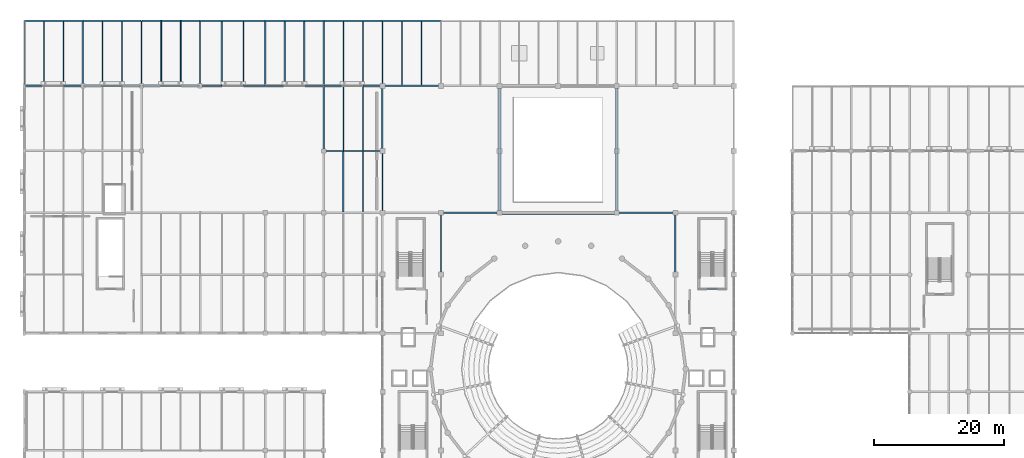
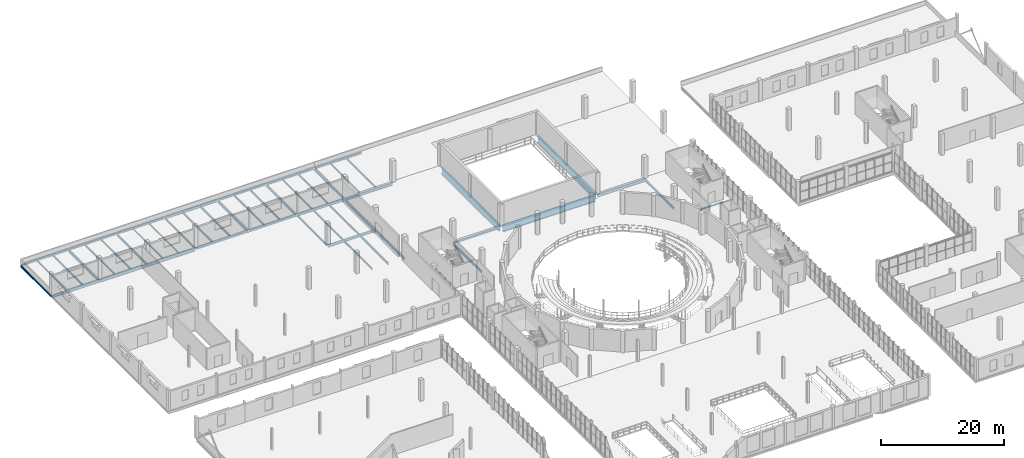
# One storey, part 40 of 85: 51 beams.
"""IFC4 building model written with IfcOpenShell, lengths in metres."""

from ifc_helpers import new_model, si_unit, direction, frame, origin, origin_2d, place, context, subcontext, project, spatial, i_section, extrude, material, material_profile, profile_set, type_object, element, save


model = new_model("IFC4")

# Units and contexts
model_context = context("Model", 3, precision=1e-05, world=origin(), true_north=direction((0.0, 1.0)))
body_context = subcontext(model_context, "Body", "Model", "MODEL_VIEW")
ifc_project = project(units=[si_unit("LENGTHUNIT", "METRE"), si_unit("AREAUNIT", "SQUARE_METRE"), si_unit("VOLUMEUNIT", "CUBIC_METRE"), si_unit("PLANEANGLEUNIT", "RADIAN"), si_unit("MASSUNIT", "GRAM", prefix="KILO")], contexts=[model_context])

# Site, building, storey
site_placement = place(None, origin())
site = spatial("IfcSite", under=ifc_project, at=site_placement, CompositionType="ELEMENT")
building_placement = place(site_placement, origin())
building = spatial("IfcBuilding", under=site, at=building_placement, Name="Marnock Terrace Opera House", CompositionType="ELEMENT")
storey_placement = place(building_placement, frame((0.0, 0.0, 10.199951171875)))
storey = spatial("IfcBuildingStorey", under=building, at=storey_placement, Name="L02", CompositionType="ELEMENT", Elevation=10.199951171875)

# Beams
ifc_material_1 = material(Name="Steel Grade 350 (AS/NZS 3679.1)", Category="steel")
ifc_material_profile_1 = material_profile(ifc_material_1, i_section(OverallWidth=0.1708984375, OverallDepth=0.355712890625, WebThickness=0.00732421875, FlangeThickness=0.011474609375, FilletRadius=0.011474609375, at=origin_2d()))
ifc_profile_set_1 = profile_set([ifc_material_profile_1], Name="Steel Grade 350 (AS/NZS 3679.1)")
beam_type_1 = type_object("IfcBeamType", Name="BM-GIRD-360", PredefinedType="BEAM", material=ifc_profile_set_1)
for number, where, z_axis, x_axis, name in (
    (1, (27.0, 104.050048828125, -0.437744140625), (0.0, 1.0, 0.0), (-1.0, 0.0, 0.0), "L02 girder (X=27.0, 104.0..114.0)"),
    (2, (46.0, 94.050048828125, -0.437744140625), (0.0, 1.0, 0.0), (-1.0, 0.0, 0.0), "L02 girder (X=46.0, 94.0..104.0)"),
):
    element("IfcBeam", number, at=place(storey_placement, frame(where, z_axis=z_axis, x_axis=x_axis)), inside=storey, type_object=beam_type_1, Name=name, PredefinedType="BEAM", context=body_context, shape_type="SweptSolid", body=[
        extrude(i_section(OverallWidth=0.1708984375, OverallDepth=0.355712890625, WebThickness=0.00732421875, FlangeThickness=0.011474609375, FilletRadius=0.011474609375, at=origin_2d()), origin(), (0.0, 0.0, 1.0), 9.89990234375),
    ])
ifc_material_profile_2 = material_profile(ifc_material_1, i_section(OverallWidth=0.177978515625, OverallDepth=0.402587890625, WebThickness=0.007568359375, FlangeThickness=0.010986328125, FilletRadius=0.011474609375, at=origin_2d()))
ifc_profile_set_2 = profile_set([ifc_material_profile_2], Name="Steel Grade 350 (AS/NZS 3679.1)")
beam_type_2 = type_object("IfcBeamType", Name="BM-GIRD-410", PredefinedType="BEAM", material=ifc_profile_set_2)
beam_1_placement = place(storey_placement, frame((64.050048828125, 84.5, -0.461181640625), z_axis=(1.0, 0.0, 0.0), x_axis=(0.0, 1.0, 0.0)))
element("IfcBeam", 3, at=beam_1_placement, inside=storey, type_object=beam_type_2, Name="L02 girder (64.0..73.0, Y=84.5)", PredefinedType="BEAM", context=body_context, shape_type="SweptSolid", body=[
    extrude(i_section(OverallWidth=0.177978515625, OverallDepth=0.402587890625, WebThickness=0.007568359375, FlangeThickness=0.010986328125, FilletRadius=0.011474609375, at=origin_2d()), origin(), (0.0, 0.0, 1.0), 8.89990234375),
])
beam_2_placement = place(storey_placement, frame((27.050048828125, 104.0, -0.461181640625), z_axis=(1.0, 0.0, 0.0), x_axis=(0.0, 1.0, 0.0)))
element("IfcBeam", 4, at=beam_2_placement, inside=storey, type_object=beam_type_2, Name="L02 girder (27.0..37.0, Y=104.0)", PredefinedType="BEAM", context=body_context, shape_type="SweptSolid", body=[
    extrude(i_section(OverallWidth=0.177978515625, OverallDepth=0.402587890625, WebThickness=0.007568359375, FlangeThickness=0.010986328125, FilletRadius=0.011474609375, at=origin_2d()), origin(), (0.0, 0.0, 1.0), 9.89990234375),
])
beam_3_placement = place(storey_placement, frame((37.050048828125, 104.0, -0.461181640625), z_axis=(1.0, 0.0, 0.0), x_axis=(0.0, 1.0, 0.0)))
element("IfcBeam", 5, at=beam_3_placement, inside=storey, type_object=beam_type_2, Name="L02 girder (37.0..46.0, Y=104.0)", PredefinedType="BEAM", context=body_context, shape_type="SweptSolid", body=[
    extrude(i_section(OverallWidth=0.177978515625, OverallDepth=0.402587890625, WebThickness=0.007568359375, FlangeThickness=0.010986328125, FilletRadius=0.011474609375, at=origin_2d()), origin(), (0.0, 0.0, 1.0), 8.89990234375),
])
ifc_material_profile_3 = material_profile(ifc_material_1, i_section(OverallWidth=0.19091796875, OverallDepth=0.46044921875, WebThickness=0.010009765625, FlangeThickness=0.01611328125, FilletRadius=0.011474609375, at=origin_2d()))
ifc_profile_set_3 = profile_set([ifc_material_profile_3], Name="Steel Grade 350 (AS/NZS 3679.1)")
beam_type_3 = type_object("IfcBeamType", Name="BM-GIRD-460A", PredefinedType="BEAM", material=ifc_profile_set_3)
beam_4_placement = place(storey_placement, frame((46.050048828125, 104.0, -0.490234375), z_axis=(1.0, 0.0, 0.0), x_axis=(0.0, 1.0, 0.0)))
element("IfcBeam", 6, at=beam_4_placement, inside=storey, type_object=beam_type_3, Name="L02 girder (46.0..55.0, Y=104.0)", PredefinedType="BEAM", context=body_context, shape_type="SweptSolid", body=[
    extrude(i_section(OverallWidth=0.19091796875, OverallDepth=0.46044921875, WebThickness=0.010009765625, FlangeThickness=0.01611328125, FilletRadius=0.011474609375, at=origin_2d()), origin(), (0.0, 0.0, 1.0), 8.89990234375),
])
ifc_material_profile_4 = material_profile(ifc_material_1, i_section(OverallWidth=0.18994140625, OverallDepth=0.45751953125, WebThickness=0.009033203125, FlangeThickness=0.014404296875, FilletRadius=0.011474609375, at=origin_2d()))
ifc_profile_set_4 = profile_set([ifc_material_profile_4], Name="Steel Grade 350 (AS/NZS 3679.1)")
beam_type_4 = type_object("IfcBeamType", Name="BM-GIRD-460B", PredefinedType="BEAM", material=ifc_profile_set_4)
beam_5_placement = place(storey_placement, frame((18.0, 104.050048828125, -0.48876953125), z_axis=(0.0, 1.0, 0.0), x_axis=(-1.0, 0.0, 0.0)))
element("IfcBeam", 7, at=beam_5_placement, inside=storey, type_object=beam_type_4, Name="L02 girder (X=18.0, 104.0..114.0)", PredefinedType="BEAM", context=body_context, shape_type="SweptSolid", body=[
    extrude(i_section(OverallWidth=0.18994140625, OverallDepth=0.45751953125, WebThickness=0.009033203125, FlangeThickness=0.014404296875, FilletRadius=0.011474609375, at=origin_2d()), origin(), (0.0, 0.0, 1.0), 9.89990234375),
])
beam_6_placement = place(storey_placement, frame((55.0, 84.550048828125, -0.48876953125), z_axis=(0.0, 1.0, 0.0), x_axis=(-1.0, 0.0, 0.0)))
element("IfcBeam", 8, at=beam_6_placement, inside=storey, type_object=beam_type_4, Name="L02 girder (X=55.0, 84.5..94.0)", PredefinedType="BEAM", context=body_context, shape_type="SweptSolid", body=[
    extrude(i_section(OverallWidth=0.18994140625, OverallDepth=0.45751953125, WebThickness=0.009033203125, FlangeThickness=0.014404296875, FilletRadius=0.011474609375, at=origin_2d()), origin(), (0.0, 0.0, 1.0), 9.39990234375),
])
beam_7_placement = place(storey_placement, frame((55.0, 104.050048828125, -0.48876953125), z_axis=(0.0, 1.0, 0.0), x_axis=(-1.0, 0.0, 0.0)))
element("IfcBeam", 9, at=beam_7_placement, inside=storey, type_object=beam_type_4, Name="L02 girder (X=55.0, 104.0..114.0)", PredefinedType="BEAM", context=body_context, shape_type="SweptSolid", body=[
    extrude(i_section(OverallWidth=0.18994140625, OverallDepth=0.45751953125, WebThickness=0.009033203125, FlangeThickness=0.014404296875, FilletRadius=0.011474609375, at=origin_2d()), origin(), (0.0, 0.0, 1.0), 9.89990234375),
])
for number, where, z_axis, x_axis, name in (
    (10, (64.0, 75.050048828125, -0.48876953125), (0.0, 1.0, 0.0), (-1.0, 0.0, 0.0), "L02 girder (X=64.0, 75.0..84.5)"),
    (11, (100.0, 75.050048828125, -0.48876953125), (0.0, 1.0, 0.0), (-1.0, 0.0, 0.0), "L02 girder (X=100.0, 75.0..84.5)"),
):
    element("IfcBeam", number, at=place(storey_placement, frame(where, z_axis=z_axis, x_axis=x_axis)), inside=storey, type_object=beam_type_4, Name=name, PredefinedType="BEAM", context=body_context, shape_type="SweptSolid", body=[
        extrude(i_section(OverallWidth=0.18994140625, OverallDepth=0.45751953125, WebThickness=0.009033203125, FlangeThickness=0.014404296875, FilletRadius=0.011474609375, at=origin_2d()), origin(), (0.0, 0.0, 1.0), 9.39990234375),
    ])
ifc_material_profile_5 = material_profile(ifc_material_1, i_section(OverallWidth=0.208984375, OverallDepth=0.532958984375, WebThickness=0.01025390625, FlangeThickness=0.015625, FilletRadius=0.013916015625, at=origin_2d()))
ifc_profile_set_5 = profile_set([ifc_material_profile_5], Name="Steel Grade 350 (AS/NZS 3679.1)")
beam_type_5 = type_object("IfcBeamType", Name="BM-GIRD-530A", PredefinedType="BEAM", material=ifc_profile_set_5)
for number, where, z_axis, x_axis, name in (
    (12, (46.050048828125, 94.0, -0.5263671875), (1.0, 0.0, 0.0), (0.0, 1.0, 0.0), "L02 girder (46.0..55.0, Y=94.0)"),
    (13, (0.050048828125, 104.0, -0.5263671875), (1.0, 0.0, 0.0), (0.0, 1.0, 0.0), "L02 girder (0.0..9.0, Y=104.0)"),
    (14, (55.050048828125, 104.0, -0.5263671875), (1.0, 0.0, 0.0), (0.0, 1.0, 0.0), "L02 girder (55.0..64.0, Y=104.0)"),
):
    element("IfcBeam", number, at=place(storey_placement, frame(where, z_axis=z_axis, x_axis=x_axis)), inside=storey, type_object=beam_type_5, Name=name, PredefinedType="BEAM", context=body_context, shape_type="SweptSolid", body=[
        extrude(i_section(OverallWidth=0.208984375, OverallDepth=0.532958984375, WebThickness=0.01025390625, FlangeThickness=0.015625, FilletRadius=0.013916015625, at=origin_2d()), origin(), (0.0, 0.0, 1.0), 8.89990234375),
    ])
ifc_material_profile_6 = material_profile(ifc_material_1, i_section(OverallWidth=0.208984375, OverallDepth=0.528076171875, WebThickness=0.009521484375, FlangeThickness=0.01318359375, FilletRadius=0.013916015625, at=origin_2d()))
ifc_profile_set_6 = profile_set([ifc_material_profile_6], Name="Steel Grade 350 (AS/NZS 3679.1)")
beam_type_6 = type_object("IfcBeamType", Name="BM-GIRD-530B", PredefinedType="BEAM", material=ifc_profile_set_6)
for number, where, z_axis, x_axis, name in (
    (15, (9.0, 104.050048828125, -0.52392578125), (0.0, 1.0, 0.0), (-1.0, 0.0, 0.0), "L02 girder (X=9.0, 104.0..114.0)"),
    (16, (46.0, 104.050048828125, -0.52392578125), (0.0, 1.0, 0.0), (-1.0, 0.0, 0.0), "L02 girder (X=46.0, 104.0..114.0)"),
):
    element("IfcBeam", number, at=place(storey_placement, frame(where, z_axis=z_axis, x_axis=x_axis)), inside=storey, type_object=beam_type_6, Name=name, PredefinedType="BEAM", context=body_context, shape_type="SweptSolid", body=[
        extrude(i_section(OverallWidth=0.208984375, OverallDepth=0.528076171875, WebThickness=0.009521484375, FlangeThickness=0.01318359375, FilletRadius=0.013916015625, at=origin_2d()), origin(), (0.0, 0.0, 1.0), 9.89990234375),
    ])
ifc_material_profile_7 = material_profile(ifc_material_1, i_section(OverallWidth=0.22900390625, OverallDepth=0.611572265625, WebThickness=0.011962890625, FlangeThickness=0.01953125, FilletRadius=0.013916015625, at=origin_2d()))
ifc_profile_set_7 = profile_set([ifc_material_profile_7], Name="Steel Grade 350 (AS/NZS 3679.1)")
beam_type_7 = type_object("IfcBeamType", Name="BM-GIRD-610A", PredefinedType="BEAM", material=ifc_profile_set_7)
beam_8_placement = place(storey_placement, frame((18.050048828125, 104.0, -0.565673828125), z_axis=(1.0, 0.0, 0.0), x_axis=(0.0, 1.0, 0.0)))
element("IfcBeam", 17, at=beam_8_placement, inside=storey, type_object=beam_type_7, Name="L02 girder (18.0..27.0, Y=104.0)", PredefinedType="BEAM", context=body_context, shape_type="SweptSolid", body=[
    extrude(i_section(OverallWidth=0.22900390625, OverallDepth=0.611572265625, WebThickness=0.011962890625, FlangeThickness=0.01953125, FilletRadius=0.013916015625, at=origin_2d()), origin(), (0.0, 0.0, 1.0), 8.89990234375),
])
ifc_material_profile_8 = material_profile(ifc_material_1, i_section(OverallWidth=0.22802734375, OverallDepth=0.60693359375, WebThickness=0.01123046875, FlangeThickness=0.017333984375, FilletRadius=0.013916015625, at=origin_2d()))
ifc_profile_set_8 = profile_set([ifc_material_profile_8], Name="Steel Grade 350 (AS/NZS 3679.1)")
beam_type_8 = type_object("IfcBeamType", Name="BM-GIRD-610B", PredefinedType="BEAM", material=ifc_profile_set_8)
for number, where, z_axis, x_axis, name in (
    (18, (91.050048828125, 84.5, -0.5634765625), (1.0, 0.0, 0.0), (0.0, 1.0, 0.0), "L02 girder (91.0..100.0, Y=84.5)"),
    (19, (9.050048828125, 104.0, -0.5634765625), (1.0, 0.0, 0.0), (0.0, 1.0, 0.0), "L02 girder (9.0..18.0, Y=104.0)"),
):
    element("IfcBeam", number, at=place(storey_placement, frame(where, z_axis=z_axis, x_axis=x_axis)), inside=storey, type_object=beam_type_8, Name=name, PredefinedType="BEAM", context=body_context, shape_type="SweptSolid", body=[
        extrude(i_section(OverallWidth=0.22802734375, OverallDepth=0.60693359375, WebThickness=0.01123046875, FlangeThickness=0.017333984375, FilletRadius=0.013916015625, at=origin_2d()), origin(), (0.0, 0.0, 1.0), 8.89990234375),
    ])
ifc_material_profile_9 = material_profile(ifc_material_1, i_section(OverallWidth=0.22802734375, OverallDepth=0.60205078125, WebThickness=0.010498046875, FlangeThickness=0.014892578125, FilletRadius=0.013916015625, at=origin_2d()))
ifc_profile_set_9 = profile_set([ifc_material_profile_9], Name="Steel Grade 350 (AS/NZS 3679.1)")
beam_type_9 = type_object("IfcBeamType", Name="BM-GIRD-610C", PredefinedType="BEAM", material=ifc_profile_set_9)
for number, where, z_axis, x_axis, name in (
    (20, (37.0, 104.050048828125, -0.56103515625), (0.0, 1.0, 0.0), (-1.0, 0.0, 0.0), "L02 girder (X=37.0, 104.0..114.0)"),
    (21, (55.0, 94.050048828125, -0.56103515625), (0.0, 1.0, 0.0), (-1.0, 0.0, 0.0), "L02 girder (X=55.0, 94.0..104.0)"),
):
    element("IfcBeam", number, at=place(storey_placement, frame(where, z_axis=z_axis, x_axis=x_axis)), inside=storey, type_object=beam_type_9, Name=name, PredefinedType="BEAM", context=body_context, shape_type="SweptSolid", body=[
        extrude(i_section(OverallWidth=0.22802734375, OverallDepth=0.60205078125, WebThickness=0.010498046875, FlangeThickness=0.014892578125, FilletRadius=0.013916015625, at=origin_2d()), origin(), (0.0, 0.0, 1.0), 9.89990234375),
    ])
ifc_material_profile_10 = material_profile(ifc_material_1, i_section(OverallWidth=0.14599609375, OverallDepth=0.256103515625, WebThickness=0.00634765625, FlangeThickness=0.010986328125, FilletRadius=0.0087890625, at=origin_2d()))
ifc_profile_set_10 = profile_set([ifc_material_profile_10], Name="Steel Grade 350 (AS/NZS 3679.1)")
beam_type_10 = type_object("IfcBeamType", Name="BM-JOIST-250", PredefinedType="JOIST", material=ifc_profile_set_10)
for number, where, z_axis, x_axis, name in (
    (22, (21.0, 104.109619140625, -0.387939453125), (0.0, 1.0, 0.0), (-1.0, 0.0, 0.0), "L02 secondary joist 2.12.1"),
    (23, (24.0, 104.109619140625, -0.387939453125), (0.0, 1.0, 0.0), (-1.0, 0.0, 0.0), "L02 secondary joist 2.12.2"),
):
    element("IfcBeam", number, at=place(storey_placement, frame(where, z_axis=z_axis, x_axis=x_axis)), inside=storey, type_object=beam_type_10, Name=name, PredefinedType="JOIST", context=body_context, shape_type="SweptSolid", body=[
        extrude(i_section(OverallWidth=0.14599609375, OverallDepth=0.256103515625, WebThickness=0.00634765625, FlangeThickness=0.010986328125, FilletRadius=0.0087890625, at=origin_2d()), origin(), (0.0, 0.0, 1.0), 9.809326171875),
    ])
ifc_material_profile_11 = material_profile(ifc_material_1, i_section(OverallWidth=0.166015625, OverallDepth=0.30712890625, WebThickness=0.006591796875, FlangeThickness=0.01171875, FilletRadius=0.011474609375, at=origin_2d()))
ifc_profile_set_11 = profile_set([ifc_material_profile_11], Name="Steel Grade 350 (AS/NZS 3679.1)")
beam_type_11 = type_object("IfcBeamType", Name="BM-JOIST-310A", PredefinedType="JOIST", material=ifc_profile_set_11)
for number, where, z_axis, x_axis, name in (
    (24, (3.0, 104.099609375, -0.41357421875), (0.0, 1.0, 0.0), (-1.0, 0.0, 0.0), "L02 secondary joist 0.12.1"),
    (25, (6.0, 104.099609375, -0.41357421875), (0.0, 1.0, 0.0), (-1.0, 0.0, 0.0), "L02 secondary joist 0.12.2"),
):
    element("IfcBeam", number, at=place(storey_placement, frame(where, z_axis=z_axis, x_axis=x_axis)), inside=storey, type_object=beam_type_11, Name=name, PredefinedType="JOIST", context=body_context, shape_type="SweptSolid", body=[
        extrude(i_section(OverallWidth=0.166015625, OverallDepth=0.30712890625, WebThickness=0.006591796875, FlangeThickness=0.01171875, FilletRadius=0.011474609375, at=origin_2d()), origin(), (0.0, 0.0, 1.0), 9.8193359375),
    ])
for number, where, z_axis, x_axis, name in (
    (26, (49.0, 104.090576171875, -0.41357421875), (0.0, 1.0, 0.0), (-1.0, 0.0, 0.0), "L02 secondary joist 5.12.1"),
    (27, (52.0, 104.090576171875, -0.41357421875), (0.0, 1.0, 0.0), (-1.0, 0.0, 0.0), "L02 secondary joist 5.12.2"),
):
    element("IfcBeam", number, at=place(storey_placement, frame(where, z_axis=z_axis, x_axis=x_axis)), inside=storey, type_object=beam_type_11, Name=name, PredefinedType="JOIST", context=body_context, shape_type="SweptSolid", body=[
        extrude(i_section(OverallWidth=0.166015625, OverallDepth=0.30712890625, WebThickness=0.006591796875, FlangeThickness=0.01171875, FilletRadius=0.011474609375, at=origin_2d()), origin(), (0.0, 0.0, 1.0), 9.828369140625),
    ])
ifc_material_profile_12 = material_profile(ifc_material_1, i_section(OverallWidth=0.1650390625, OverallDepth=0.3037109375, WebThickness=0.006103515625, FlangeThickness=0.01025390625, FilletRadius=0.011474609375, at=origin_2d()))
ifc_profile_set_12 = profile_set([ifc_material_profile_12], Name="Steel Grade 350 (AS/NZS 3679.1)")
beam_type_12 = type_object("IfcBeamType", Name="BM-JOIST-310B", PredefinedType="JOIST", material=ifc_profile_set_12)
for number, where, z_axis, x_axis, name in (
    (28, (12.0, 104.10888671875, -0.411865234375), (0.0, 1.0, 0.0), (-1.0, 0.0, 0.0), "L02 secondary joist 1.12.1"),
    (29, (15.0, 104.10888671875, -0.411865234375), (0.0, 1.0, 0.0), (-1.0, 0.0, 0.0), "L02 secondary joist 1.12.2"),
):
    element("IfcBeam", number, at=place(storey_placement, frame(where, z_axis=z_axis, x_axis=x_axis)), inside=storey, type_object=beam_type_12, Name=name, PredefinedType="JOIST", context=body_context, shape_type="SweptSolid", body=[
        extrude(i_section(OverallWidth=0.1650390625, OverallDepth=0.3037109375, WebThickness=0.006103515625, FlangeThickness=0.01025390625, FilletRadius=0.011474609375, at=origin_2d()), origin(), (0.0, 0.0, 1.0), 9.81005859375),
    ])
for number, where, z_axis, x_axis, name in (
    (30, (58.0, 104.099609375, -0.411865234375), (0.0, 1.0, 0.0), (-1.0, 0.0, 0.0), "L02 secondary joist 6.12.1"),
    (31, (61.0, 104.099609375, -0.411865234375), (0.0, 1.0, 0.0), (-1.0, 0.0, 0.0), "L02 secondary joist 6.12.2"),
):
    element("IfcBeam", number, at=place(storey_placement, frame(where, z_axis=z_axis, x_axis=x_axis)), inside=storey, type_object=beam_type_12, Name=name, PredefinedType="JOIST", context=body_context, shape_type="SweptSolid", body=[
        extrude(i_section(OverallWidth=0.1650390625, OverallDepth=0.3037109375, WebThickness=0.006103515625, FlangeThickness=0.01025390625, FilletRadius=0.011474609375, at=origin_2d()), origin(), (0.0, 0.0, 1.0), 9.8193359375),
    ])
ifc_material_profile_13 = material_profile(ifc_material_1, i_section(OverallWidth=0.172119140625, OverallDepth=0.358642578125, WebThickness=0.008056640625, FlangeThickness=0.012939453125, FilletRadius=0.011474609375, at=origin_2d()))
ifc_profile_set_13 = profile_set([ifc_material_profile_13], Name="Steel Grade 350 (AS/NZS 3679.1)")
beam_type_13 = type_object("IfcBeamType", Name="BM-JOIST-360", PredefinedType="JOIST", material=ifc_profile_set_13)
for number, where, z_axis, x_axis, name in (
    (32, (40.0, 104.083984375, -0.439208984375), (0.0, 1.0, 0.0), (-1.0, 0.0, 0.0), "L02 secondary joist 4.12.1"),
    (33, (43.0, 104.083984375, -0.439208984375), (0.0, 1.0, 0.0), (-1.0, 0.0, 0.0), "L02 secondary joist 4.12.2"),
):
    element("IfcBeam", number, at=place(storey_placement, frame(where, z_axis=z_axis, x_axis=x_axis)), inside=storey, type_object=beam_type_13, Name=name, PredefinedType="JOIST", context=body_context, shape_type="SweptSolid", body=[
        extrude(i_section(OverallWidth=0.172119140625, OverallDepth=0.358642578125, WebThickness=0.008056640625, FlangeThickness=0.012939453125, FilletRadius=0.011474609375, at=origin_2d()), origin(), (0.0, 0.0, 1.0), 9.8349609375),
    ])
for number, where, z_axis, x_axis, name in (
    (34, (49.0, 94.099609375, -0.439208984375), (0.0, 1.0, 0.0), (-1.0, 0.0, 0.0), "L02 secondary joist 5.11.1"),
    (35, (52.0, 94.099609375, -0.439208984375), (0.0, 1.0, 0.0), (-1.0, 0.0, 0.0), "L02 secondary joist 5.11.2"),
):
    element("IfcBeam", number, at=place(storey_placement, frame(where, z_axis=z_axis, x_axis=x_axis)), inside=storey, type_object=beam_type_13, Name=name, PredefinedType="JOIST", context=body_context, shape_type="SweptSolid", body=[
        extrude(i_section(OverallWidth=0.172119140625, OverallDepth=0.358642578125, WebThickness=0.008056640625, FlangeThickness=0.012939453125, FilletRadius=0.011474609375, at=origin_2d()), origin(), (0.0, 0.0, 1.0), 9.809814453125),
    ])
ifc_material_profile_14 = material_profile(ifc_material_1, i_section(OverallWidth=0.177978515625, OverallDepth=0.406494140625, WebThickness=0.0078125, FlangeThickness=0.0126953125, FilletRadius=0.011474609375, at=origin_2d()))
ifc_profile_set_14 = profile_set([ifc_material_profile_14], Name="Steel Grade 350 (AS/NZS 3679.1)")
beam_type_14 = type_object("IfcBeamType", Name="BM-JOIST-410", PredefinedType="JOIST", material=ifc_profile_set_14)
for number, where, z_axis, x_axis, name in (
    (36, (30.333251953125, 104.083984375, -0.463134765625), (0.0, 1.0, 0.0), (-1.0, 0.0, 0.0), "L02 secondary joist 3.12.1"),
    (37, (33.666748046875, 104.083984375, -0.463134765625), (0.0, 1.0, 0.0), (-1.0, 0.0, 0.0), "L02 secondary joist 3.12.2"),
):
    element("IfcBeam", number, at=place(storey_placement, frame(where, z_axis=z_axis, x_axis=x_axis)), inside=storey, type_object=beam_type_14, Name=name, PredefinedType="JOIST", context=body_context, shape_type="SweptSolid", body=[
        extrude(i_section(OverallWidth=0.177978515625, OverallDepth=0.406494140625, WebThickness=0.0078125, FlangeThickness=0.0126953125, FilletRadius=0.011474609375, at=origin_2d()), origin(), (0.0, 0.0, 1.0), 9.825439453125),
    ])
for number, where, z_axis, x_axis, name in (
    (38, (49.0, 84.60888671875, -0.463134765625), (0.0, 1.0, 0.0), (-1.0, 0.0, 0.0), "L02 secondary joist 5.10.1"),
    (39, (52.0, 84.60888671875, -0.463134765625), (0.0, 1.0, 0.0), (-1.0, 0.0, 0.0), "L02 secondary joist 5.10.2"),
):
    element("IfcBeam", number, at=place(storey_placement, frame(where, z_axis=z_axis, x_axis=x_axis)), inside=storey, type_object=beam_type_14, Name=name, PredefinedType="JOIST", context=body_context, shape_type="SweptSolid", body=[
        extrude(i_section(OverallWidth=0.177978515625, OverallDepth=0.406494140625, WebThickness=0.0078125, FlangeThickness=0.0126953125, FilletRadius=0.011474609375, at=origin_2d()), origin(), (0.0, 0.0, 1.0), 9.29150390625),
    ])
ifc_material_profile_15 = material_profile(ifc_material_1, i_section(OverallWidth=0.166015625, OverallDepth=0.30712890625, WebThickness=0.006591796875, FlangeThickness=0.01171875, FilletRadius=0.011474609375, at=origin_2d()))
ifc_profile_set_15 = profile_set([ifc_material_profile_15], Name="Steel Grade 350 (AS/NZS 3679.1)")
beam_type_15 = type_object("IfcBeamType", Name="BM-LINT-310", PredefinedType="LINTEL", material=ifc_profile_set_15)
beam_9_placement = place(storey_placement, frame((103.52001953125, 72.800048828125, -0.60986328125), z_axis=(1.0, 0.0, 0.0), x_axis=(0.0, 1.0, 0.0)))
element("IfcBeam", 40, at=beam_9_placement, inside=storey, type_object=beam_type_15, Name="L01 Core C4 coupling lintel", PredefinedType="LINTEL", context=body_context, shape_type="SweptSolid", body=[
    extrude(i_section(OverallWidth=0.166015625, OverallDepth=0.30712890625, WebThickness=0.006591796875, FlangeThickness=0.01171875, FilletRadius=0.011474609375, at=origin_2d()), origin(), (0.0, 0.0, 1.0), 4.35986328125),
])
ifc_material_2 = material(Name="Steel Grade 350 Welded (AS/NZS 3679.2)", Category="steel")
ifc_material_profile_16 = material_profile(ifc_material_2, i_section(OverallWidth=0.449951171875, OverallDepth=1.199951171875, WebThickness=0.01611328125, FlangeThickness=0.0400390625, at=origin_2d()))
ifc_profile_set_16 = profile_set([ifc_material_profile_16], Name="Steel Grade 350 Welded (AS/NZS 3679.2)")
beam_type_16 = type_object("IfcBeamType", Name="BM-PROSC-1200", PredefinedType="BEAM", material=ifc_profile_set_16)
beam_10_placement = place(storey_placement, frame((73.35009765625, 84.5, -0.85986328125), z_axis=(1.0, 0.0, 0.0), x_axis=(0.0, 1.0, 0.0)))
element("IfcBeam", 41, at=beam_10_placement, inside=storey, type_object=beam_type_16, Name="Main Stage proscenium transfer girder", PredefinedType="BEAM", context=body_context, shape_type="SweptSolid", body=[
    extrude(i_section(OverallWidth=0.449951171875, OverallDepth=1.199951171875, WebThickness=0.01611328125, FlangeThickness=0.0400390625, at=origin_2d()), origin(), (0.0, 0.0, 1.0), 17.2998046875),
])
for number, where, z_axis, x_axis, name in (
    (42, (73.0, 84.85009765625, -0.85986328125), (0.0, 1.0, 0.0), (-1.0, 0.0, 0.0), "Side stage W portal transfer girder"),
    (43, (91.0, 84.85009765625, -0.85986328125), (0.0, 1.0, 0.0), (-1.0, 0.0, 0.0), "Side stage E portal transfer girder"),
):
    element("IfcBeam", number, at=place(storey_placement, frame(where, z_axis=z_axis, x_axis=x_axis)), inside=storey, type_object=beam_type_16, Name=name, PredefinedType="BEAM", context=body_context, shape_type="SweptSolid", body=[
        extrude(i_section(OverallWidth=0.449951171875, OverallDepth=1.199951171875, WebThickness=0.01611328125, FlangeThickness=0.0400390625, at=origin_2d()), origin(), (0.0, 0.0, 1.0), 18.7998046875),
    ])
ifc_material_profile_17 = material_profile(ifc_material_1, i_section(OverallWidth=0.172119140625, OverallDepth=0.358642578125, WebThickness=0.008056640625, FlangeThickness=0.012939453125, FilletRadius=0.011474609375, at=origin_2d()))
ifc_profile_set_17 = profile_set([ifc_material_profile_17], Name="Steel Grade 350 (AS/NZS 3679.1)")
beam_type_17 = type_object("IfcBeamType", Name="BM-SPAN-360", PredefinedType="SPANDREL", material=ifc_profile_set_17)
for number, where, z_axis, x_axis, name in (
    (44, (0.050048828125, 114.0, -0.399169921875), (1.0, 0.0, 0.0), (0.0, 1.0, 0.0), "L02 girder (0.0..9.0, Y=114.0)"),
    (45, (9.050048828125, 114.0, -0.399169921875), (1.0, 0.0, 0.0), (0.0, 1.0, 0.0), "L02 girder (9.0..18.0, Y=114.0)"),
    (46, (18.050048828125, 114.0, -0.399169921875), (1.0, 0.0, 0.0), (0.0, 1.0, 0.0), "L02 girder (18.0..27.0, Y=114.0)"),
    (47, (37.050048828125, 114.0, -0.399169921875), (1.0, 0.0, 0.0), (0.0, 1.0, 0.0), "L02 girder (37.0..46.0, Y=114.0)"),
    (48, (46.050048828125, 114.0, -0.439208984375), (1.0, 0.0, 0.0), (0.0, 1.0, 0.0), "L02 girder (46.0..55.0, Y=114.0)"),
    (49, (55.050048828125, 114.0, -0.439208984375), (1.0, 0.0, 0.0), (0.0, 1.0, 0.0), "L02 girder (55.0..64.0, Y=114.0)"),
):
    element("IfcBeam", number, at=place(storey_placement, frame(where, z_axis=z_axis, x_axis=x_axis)), inside=storey, type_object=beam_type_17, Name=name, PredefinedType="SPANDREL", context=body_context, shape_type="SweptSolid", body=[
        extrude(i_section(OverallWidth=0.172119140625, OverallDepth=0.358642578125, WebThickness=0.008056640625, FlangeThickness=0.012939453125, FilletRadius=0.011474609375, at=origin_2d()), origin(), (0.0, 0.0, 1.0), 8.89990234375),
    ])
beam_11_placement = place(storey_placement, frame((0.0, 104.050048828125, -0.439208984375), z_axis=(0.0, 1.0, 0.0), x_axis=(-1.0, 0.0, 0.0)))
element("IfcBeam", 50, at=beam_11_placement, inside=storey, type_object=beam_type_17, Name="L02 girder (X=0.0, 104.0..114.0)", PredefinedType="SPANDREL", context=body_context, shape_type="SweptSolid", body=[
    extrude(i_section(OverallWidth=0.172119140625, OverallDepth=0.358642578125, WebThickness=0.008056640625, FlangeThickness=0.012939453125, FilletRadius=0.011474609375, at=origin_2d()), origin(), (0.0, 0.0, 1.0), 9.89990234375),
])
ifc_material_profile_18 = material_profile(ifc_material_1, i_section(OverallWidth=0.19091796875, OverallDepth=0.46044921875, WebThickness=0.010009765625, FlangeThickness=0.01611328125, FilletRadius=0.011474609375, at=origin_2d()))
ifc_profile_set_18 = profile_set([ifc_material_profile_18], Name="Steel Grade 350 (AS/NZS 3679.1)")
beam_type_18 = type_object("IfcBeamType", Name="BM-SPAN-460", PredefinedType="SPANDREL", material=ifc_profile_set_18)
beam_12_placement = place(storey_placement, frame((27.050048828125, 114.0, -0.4501953125), z_axis=(1.0, 0.0, 0.0), x_axis=(0.0, 1.0, 0.0)))
element("IfcBeam", 51, at=beam_12_placement, inside=storey, type_object=beam_type_18, Name="L02 girder (27.0..37.0, Y=114.0)", PredefinedType="SPANDREL", context=body_context, shape_type="SweptSolid", body=[
    extrude(i_section(OverallWidth=0.19091796875, OverallDepth=0.46044921875, WebThickness=0.010009765625, FlangeThickness=0.01611328125, FilletRadius=0.011474609375, at=origin_2d()), origin(), (0.0, 0.0, 1.0), 9.89990234375),
])

save(model, "model.ifc")
